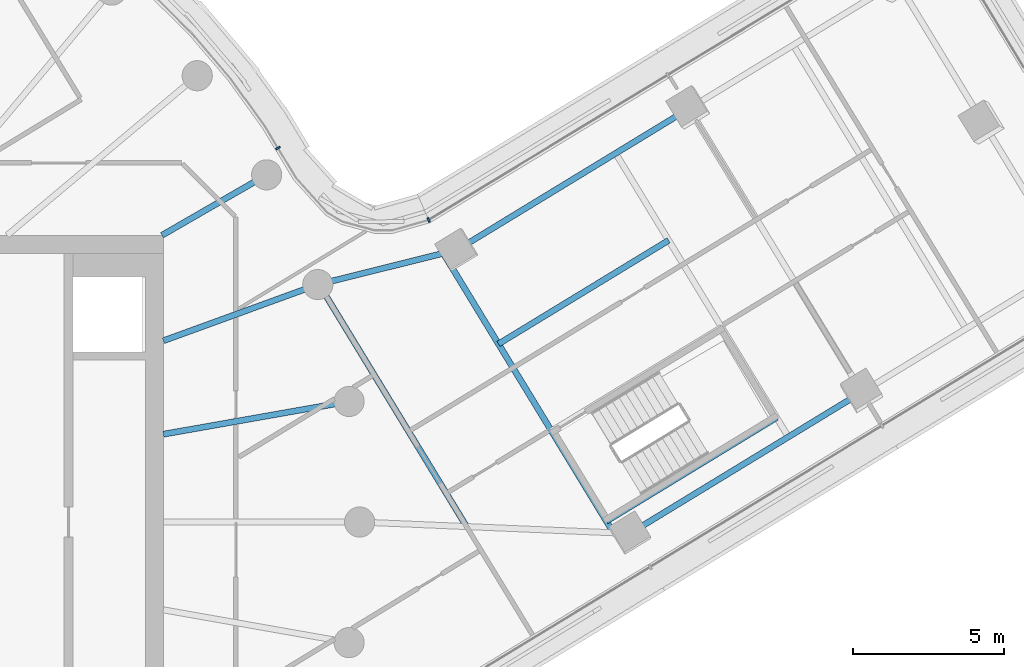
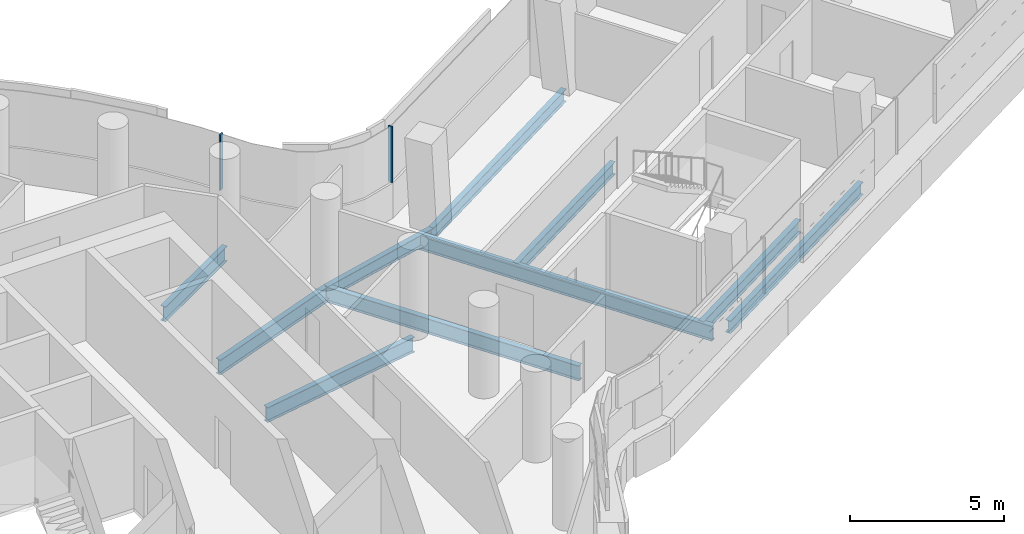
# One storey, part 12 of 35: 10 beams, 2 members, 1 element without a shape of its own.
"""IFC4 building model written with IfcOpenShell, lengths in metres."""

from ifc_helpers import new_model, si_unit, direction, frame, origin, origin_2d, place, context, subcontext, project, spatial, rectangle, i_section, extrude, material, layer, layer_set, material_profile, profile_set, type_object, element, aggregate, save


model = new_model("IFC4")

# Units and contexts
model_context = context("Model", 3, precision=1e-05, world=origin(), true_north=direction((0.0, 1.0)))
body_context = subcontext(model_context, "Body", "Model", "MODEL_VIEW")
ifc_project = project(units=[si_unit("LENGTHUNIT", "METRE"), si_unit("AREAUNIT", "SQUARE_METRE"), si_unit("VOLUMEUNIT", "CUBIC_METRE"), si_unit("PLANEANGLEUNIT", "RADIAN"), si_unit("MASSUNIT", "GRAM", prefix="KILO")], contexts=[model_context])

# Site, building, storey
site_placement = place(None, origin())
site = spatial("IfcSite", under=ifc_project, at=site_placement, CompositionType="ELEMENT")
building_placement = place(site_placement, origin())
building = spatial("IfcBuilding", under=site, at=building_placement, Name="Tamarind Cross Interchange Tower", CompositionType="ELEMENT")
storey_placement = place(building_placement, frame((0.0, 0.0, 148.0)))
storey = spatial("IfcBuildingStorey", under=building, at=storey_placement, Name="L36", CompositionType="ELEMENT", Elevation=148.0)

# Beams
ifc_material_1 = material(Name="Steel Q355B", Category="steel")
ifc_material_profile_1 = material_profile(ifc_material_1, i_section(OverallWidth=0.198974609375, OverallDepth=0.49609375, WebThickness=0.009033203125, FlangeThickness=0.013916015625, FilletRadius=0.012939453125, at=origin_2d()), Name="HN 496x199x9x14")
ifc_profile_set_1 = profile_set([ifc_material_profile_1], Name="Steel Q355B")
beam_type_1 = type_object("IfcBeamType", Name="Composite beam HN 496x199x9x14 Q355B", PredefinedType="BEAM", material=ifc_profile_set_1)
for number, where, z_axis, x_axis, name in (
    (1, (39.63623046875, 4.3017578125, -0.387939453125), (-0.854056043053, -0.520181002464, 0.0), (0.520181002464, -0.854056043053, 0.0), "Beam E-edgeem6"),
    (2, (33.914306640625, 13.6962890625, -0.387939453125), (-0.854068094389, -0.520161215535, 0.0), (0.520161215535, -0.854068094389, 0.0), "Beam E-edgeep3"),
):
    element("IfcBeam", number, at=place(storey_placement, frame(where, z_axis=z_axis, x_axis=x_axis)), inside=storey, type_object=beam_type_1, Name=name, PredefinedType="BEAM", context=body_context, shape_type="SweptSolid", body=[
        extrude(i_section(OverallWidth=0.198974609375, OverallDepth=0.49609375, WebThickness=0.009033203125, FlangeThickness=0.013916015625, FilletRadius=0.012939453125, at=origin_2d()), origin(), (0.0, 0.0, 1.0), 9.0),
    ])
beam_1_placement = place(storey_placement, frame((26.227783203125, 9.014892578125, -0.387939453125), z_axis=(-0.9704016567, -0.241496634913, 0.0), x_axis=(0.241496634913, -0.9704016567, 0.0)))
element("IfcBeam", 3, at=beam_1_placement, inside=storey, type_object=beam_type_1, Name="Beam E-linkep", PredefinedType="BEAM", context=body_context, shape_type="SweptSolid", body=[
    extrude(i_section(OverallWidth=0.198974609375, OverallDepth=0.49609375, WebThickness=0.009033203125, FlangeThickness=0.013916015625, FilletRadius=0.012939453125, at=origin_2d()), origin(), (0.0, 0.0, 1.0), 4.755615234375),
])
beam_2_placement = place(storey_placement, frame((31.17529296875, 0.026611328125, -0.387939453125), z_axis=(0.854059947432, 0.52017459203, 0.0), x_axis=(-0.52017459203, 0.854059947432, 0.0)))
element("IfcBeam", 4, at=beam_2_placement, inside=storey, type_object=beam_type_1, Name="Beam E-tr0", PredefinedType="BEAM", context=body_context, shape_type="SweptSolid", body=[
    extrude(i_section(OverallWidth=0.198974609375, OverallDepth=0.49609375, WebThickness=0.009033203125, FlangeThickness=0.013916015625, FilletRadius=0.012939453125, at=origin_2d()), origin(), (0.0, 0.0, 1.0), 6.599853515625),
])
beam_3_placement = place(storey_placement, frame((27.598876953125, 5.898193359375, -0.387939453125), z_axis=(0.854069956179, 0.520158158595, 0.0), x_axis=(-0.520158158595, 0.854069956179, 0.0)))
element("IfcBeam", 5, at=beam_3_placement, inside=storey, type_object=beam_type_1, Name="Beam E-stripp", PredefinedType="BEAM", context=body_context, shape_type="SweptSolid", body=[
    extrude(i_section(OverallWidth=0.198974609375, OverallDepth=0.49609375, WebThickness=0.009033203125, FlangeThickness=0.013916015625, FilletRadius=0.012939453125, at=origin_2d()), origin(), (0.0, 0.0, 1.0), 6.60009765625),
])
ifc_material_profile_2 = material_profile(ifc_material_1, i_section(OverallWidth=0.198974609375, OverallDepth=0.595947265625, WebThickness=0.010009765625, FlangeThickness=0.014892578125, FilletRadius=0.012939453125, at=origin_2d()), Name="HN 596x199x10x15")
ifc_profile_set_2 = profile_set([ifc_material_profile_2], Name="Steel Q355B")
beam_type_2 = type_object("IfcBeamType", Name="Composite beam HN 596x199x10x15 Q355B", PredefinedType="BEAM", material=ifc_profile_set_2)
beam_4_placement = place(storey_placement, frame((22.650634765625, 3.993896484375, -0.43798828125), z_axis=(-0.984809127561, -0.173640382036, 0.0), x_axis=(0.173640382036, -0.984809127561, 0.0)))
element("IfcBeam", 6, at=beam_4_placement, inside=storey, type_object=beam_type_2, Name="Beam HH01", PredefinedType="BEAM", context=body_context, shape_type="SweptSolid", body=[
    extrude(i_section(OverallWidth=0.198974609375, OverallDepth=0.595947265625, WebThickness=0.010009765625, FlangeThickness=0.014892578125, FilletRadius=0.012939453125, at=origin_2d()), origin(), (0.0, 0.0, 1.0), 6.24560546875),
])
beam_5_placement = place(storey_placement, frame((21.613037109375, 7.866455078125, -0.43798828125), z_axis=(-0.939701685589, -0.341995236956, 0.0), x_axis=(0.341995236956, -0.939701685589, 0.0)))
element("IfcBeam", 7, at=beam_5_placement, inside=storey, type_object=beam_type_2, Name="Beam HH02", PredefinedType="BEAM", context=body_context, shape_type="SweptSolid", body=[
    extrude(i_section(OverallWidth=0.198974609375, OverallDepth=0.595947265625, WebThickness=0.010009765625, FlangeThickness=0.014892578125, FilletRadius=0.012939453125, at=origin_2d()), origin(), (0.0, 0.0, 1.0), 5.441162109375),
])
beam_6_placement = place(storey_placement, frame((19.918701171875, 11.5, -0.43798828125), z_axis=(-0.866026010844, -0.49999894854, 0.0), x_axis=(0.49999894854, -0.866026010844, 0.0)))
element("IfcBeam", 8, at=beam_6_placement, inside=storey, type_object=beam_type_2, Name="Beam HH03", PredefinedType="BEAM", context=body_context, shape_type="SweptSolid", body=[
    extrude(i_section(OverallWidth=0.198974609375, OverallDepth=0.595947265625, WebThickness=0.010009765625, FlangeThickness=0.014892578125, FilletRadius=0.012939453125, at=origin_2d()), origin(), (0.0, 0.0, 1.0), 4.0),
])
ifc_material_profile_3 = material_profile(ifc_material_1, i_section(OverallWidth=0.199951171875, OverallDepth=0.60009765625, WebThickness=0.010986328125, FlangeThickness=0.01708984375, FilletRadius=0.012939453125, at=origin_2d()), Name="HN 600x200x11x17")
ifc_profile_set_3 = profile_set([ifc_material_profile_3], Name="Steel Q355B")
beam_type_3 = type_object("IfcBeamType", Name="Composite beam HN 600x200x11x17 Q355B", PredefinedType="BEAM", material=ifc_profile_set_3)
beam_7_placement = place(storey_placement, frame((31.40869140625, -0.35693359375, -0.43994140625), z_axis=(-0.520164857812, 0.854065876088, 0.0), x_axis=(-0.854065876088, -0.520164857812, 0.0)))
element("IfcBeam", 9, at=beam_7_placement, inside=storey, type_object=beam_type_3, Name="Beam E-x298", PredefinedType="BEAM", context=body_context, shape_type="SweptSolid", body=[
    extrude(i_section(OverallWidth=0.199951171875, OverallDepth=0.60009765625, WebThickness=0.010986328125, FlangeThickness=0.01708984375, FilletRadius=0.012939453125, at=origin_2d()), origin(), (0.0, 0.0, 1.0), 10.839599609375),
])
beam_8_placement = place(storey_placement, frame((26.540771484375, -0.150390625, -0.43994140625), z_axis=(-0.520172735593, 0.854061078112, 0.0), x_axis=(-0.854061078112, -0.520172735593, 0.0)))
element("IfcBeam", 10, at=beam_8_placement, inside=storey, type_object=beam_type_3, Name="Beam E-x258", PredefinedType="BEAM", context=body_context, shape_type="SweptSolid", body=[
    extrude(i_section(OverallWidth=0.199951171875, OverallDepth=0.60009765625, WebThickness=0.010986328125, FlangeThickness=0.01708984375, FilletRadius=0.012939453125, at=origin_2d()), origin(), (0.0, 0.0, 1.0), 9.398193359375),
])

# Curtain wall, members
ifc_material_2 = material(Name="Aluminium 6063-T6", Category="aluminium")
ifc_layer = layer(ifc_material_2, 0.159912109375)
ifc_layer_set = layer_set([ifc_layer], Name="Aluminium 6063-T6")
curtain_wall_type = type_object("IfcCurtainWallType", Name="Office curtain wall, 9.0 m bays", PredefinedType="NOTDEFINED", material=ifc_layer_set)
curtain_wall_placement = place(storey_placement, origin())
curtain_wall = element("IfcCurtainWall", 11, at=curtain_wall_placement, inside=storey, type_object=curtain_wall_type, Name="CWS-L36-10", PredefinedType="NOTDEFINED")
ifc_material_profile_4 = material_profile(ifc_material_2, rectangle(XDim=0.06005859375, YDim=0.159912109375, at=origin_2d()), Name="Mullion CW1")
ifc_profile_set_4 = profile_set([ifc_material_profile_4], Name="Aluminium 6063-T6")
member_type = type_object("IfcMemberType", Name="Mullion CW1", PredefinedType="MULLION", material=ifc_profile_set_4)
member_1_placement = place(storey_placement, frame((25.286376953125, 10.006103515625, 1.39990234375), z_axis=(0.0, 0.0, 1.0), x_axis=(-0.916769332296, -0.399417064435, 0.0)))
member_1 = element("IfcMember", 12, at=member_1_placement, type_object=member_type, Name="CWM-L36-10-00", PredefinedType="MULLION", context=body_context, shape_type="SweptSolid", body=[
    extrude(rectangle(XDim=0.06005859375, YDim=0.159912109375, at=origin_2d()), origin(), (0.0, 0.0, 1.0), 2.210205078125),
])
member_2_placement = place(storey_placement, frame((20.29296875, 12.38916015625, 1.39990234375), z_axis=(0.0, 0.0, 1.0), x_axis=(-0.515577308909, 0.856843065292, 0.0)))
member_2 = element("IfcMember", 13, at=member_2_placement, type_object=member_type, Name="CWM-L36-10-01", PredefinedType="MULLION", context=body_context, shape_type="SweptSolid", body=[
    extrude(rectangle(XDim=0.06005859375, YDim=0.159912109375, at=origin_2d()), origin(), (0.0, 0.0, 1.0), 2.210205078125),
])
aggregate(curtain_wall, [member_1, member_2])

save(model, "model.ifc")
